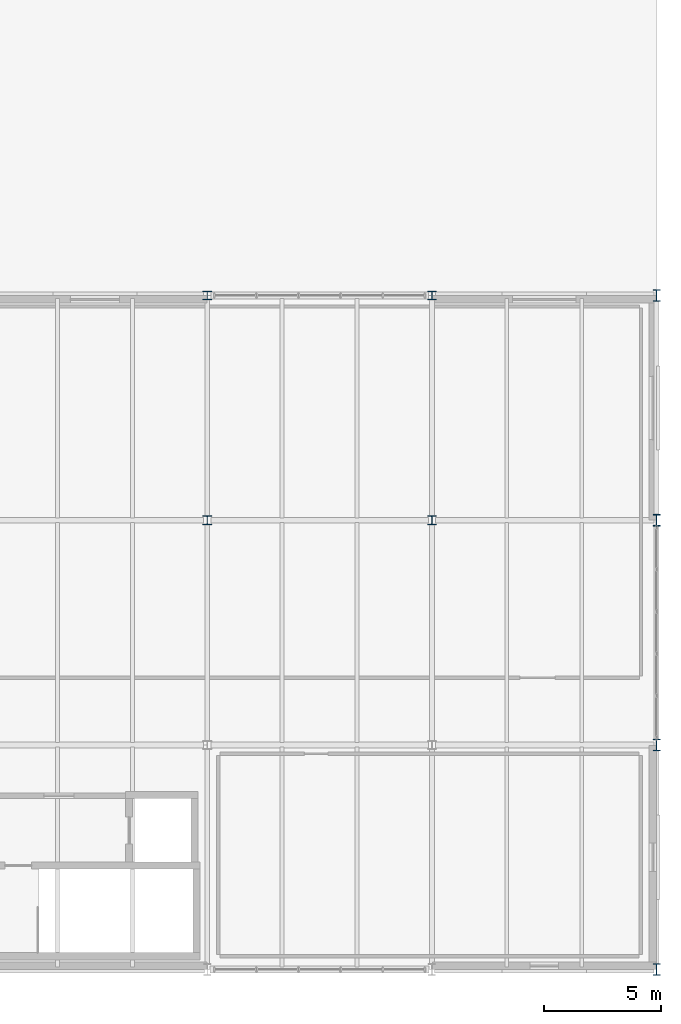
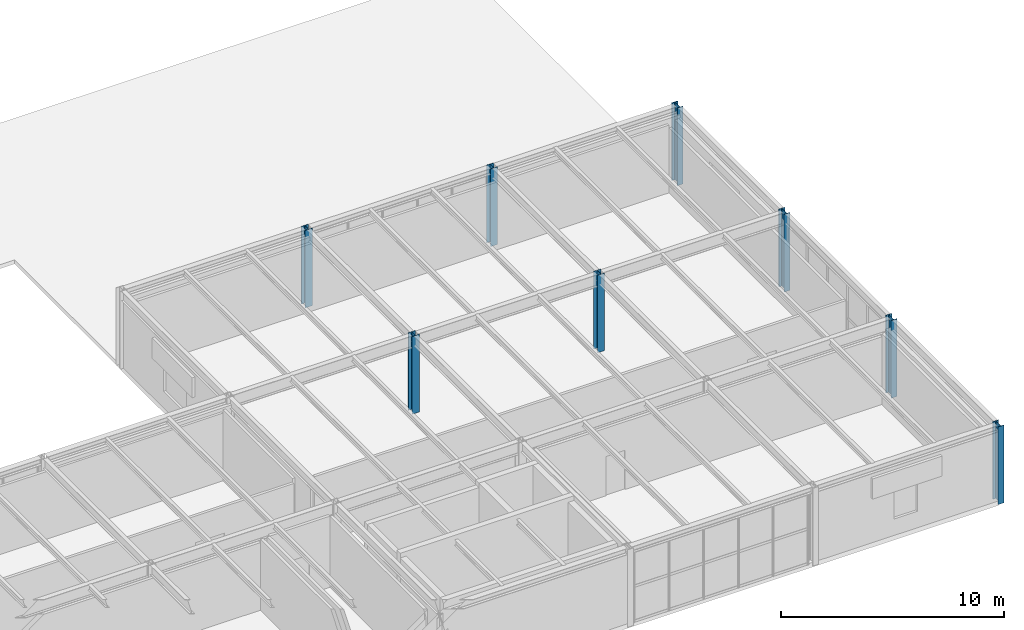
# One storey, part 13 of 170: 8 columns.
"""IFC4 building model written with IfcOpenShell, lengths in metres."""

from ifc_helpers import new_model, si_unit, direction, frame, origin, origin_2d, place, context, subcontext, project, spatial, i_section, extrude, material, material_profile, profile_set, type_object, element, save


model = new_model("IFC4")

# Units and contexts
model_context = context("Model", 3, precision=1e-05, world=origin(), true_north=direction((0.0, 1.0)))
body_context = subcontext(model_context, "Body", "Model", "MODEL_VIEW")
ifc_project = project(units=[si_unit("LENGTHUNIT", "METRE"), si_unit("AREAUNIT", "SQUARE_METRE"), si_unit("VOLUMEUNIT", "CUBIC_METRE"), si_unit("PLANEANGLEUNIT", "RADIAN"), si_unit("MASSUNIT", "GRAM", prefix="KILO")], contexts=[model_context])

# Site, building, storey
site_placement = place(None, origin())
site = spatial("IfcSite", under=ifc_project, at=site_placement, CompositionType="ELEMENT")
building_placement = place(site_placement, origin())
building = spatial("IfcBuilding", under=site, at=building_placement, Name="Coralgate Yard Interchange", CompositionType="ELEMENT")
storey_placement = place(building_placement, frame((0.0, 0.0, 6.0)))
storey = spatial("IfcBuildingStorey", under=building, at=storey_placement, Name="L01", CompositionType="ELEMENT", Elevation=6.0)

# Columns
ifc_material = material(Name="Structural steel S355J2", Category="steel")
ifc_material_profile_1 = material_profile(ifc_material, i_section(OverallWidth=0.300048828125, OverallDepth=0.5, WebThickness=0.014404296875, FlangeThickness=0.028076171875, FilletRadius=0.027099609375, at=origin_2d()), Name="HEB 500")
ifc_profile_set_1 = profile_set([ifc_material_profile_1], Name="Structural steel S355J2")
column_type_1 = type_object("IfcColumnType", Name="COL-SC-10", PredefinedType="COLUMN", material=ifc_profile_set_1)
for number, where, z_axis, x_axis, name in (
    (1, (182.39990234375, 0.0, 0.0), (0.0, 0.0, 1.0), (1.0, 0.0, 0.0), "L01 structural column 19-0"),
    (2, (182.39990234375, 9.60009765625, 0.0), (0.0, 0.0, 1.0), (1.0, 0.0, 0.0), "L01 structural column 19-1"),
    (3, (182.39990234375, 19.199951171875, 0.0), (0.0, 0.0, 1.0), (1.0, 0.0, 0.0), "L01 structural column 19-2"),
    (4, (182.39990234375, 28.800048828125, 0.0), (0.0, 0.0, 1.0), (1.0, 0.0, 0.0), "L01 structural column 19-3"),
):
    element("IfcColumn", number, at=place(storey_placement, frame(where, z_axis=z_axis, x_axis=x_axis)), inside=storey, type_object=column_type_1, Name=name, PredefinedType="COLUMN", context=body_context, shape_type="SweptSolid", body=[
        extrude(i_section(OverallWidth=0.300048828125, OverallDepth=0.5, WebThickness=0.014404296875, FlangeThickness=0.028076171875, FilletRadius=0.027099609375, at=origin_2d()), origin(), (0.0, 0.0, 1.0), 4.25),
    ])
ifc_material_profile_2 = material_profile(ifc_material, i_section(OverallWidth=0.37255859375, OverallDepth=0.3681640625, WebThickness=0.014404296875, FlangeThickness=0.023681640625, FilletRadius=0.01513671875, at=origin_2d()), Name="UC 356x368x177")
ifc_profile_set_2 = profile_set([ifc_material_profile_2], Name="Structural steel S355J2")
column_type_2 = type_object("IfcColumnType", Name="COL-SC-3", PredefinedType="COLUMN", material=ifc_profile_set_2)
for number, where, z_axis, x_axis, name in (
    (5, (163.199951171875, 19.199951171875, 0.0), (0.0, 0.0, 1.0), (1.0, 0.0, 0.0), "L01 structural column 17-2"),
    (6, (163.199951171875, 28.800048828125, 0.0), (0.0, 0.0, 1.0), (1.0, 0.0, 0.0), "L01 structural column 17-3"),
    (7, (172.800048828125, 19.199951171875, 0.0), (0.0, 0.0, 1.0), (1.0, 0.0, 0.0), "L01 structural column 18-2"),
    (8, (172.800048828125, 28.800048828125, 0.0), (0.0, 0.0, 1.0), (1.0, 0.0, 0.0), "L01 structural column 18-3"),
):
    element("IfcColumn", number, at=place(storey_placement, frame(where, z_axis=z_axis, x_axis=x_axis)), inside=storey, type_object=column_type_2, Name=name, PredefinedType="COLUMN", context=body_context, shape_type="SweptSolid", body=[
        extrude(i_section(OverallWidth=0.37255859375, OverallDepth=0.3681640625, WebThickness=0.014404296875, FlangeThickness=0.023681640625, FilletRadius=0.01513671875, at=origin_2d()), origin(), (0.0, 0.0, 1.0), 4.25),
    ])

save(model, "model.ifc")
